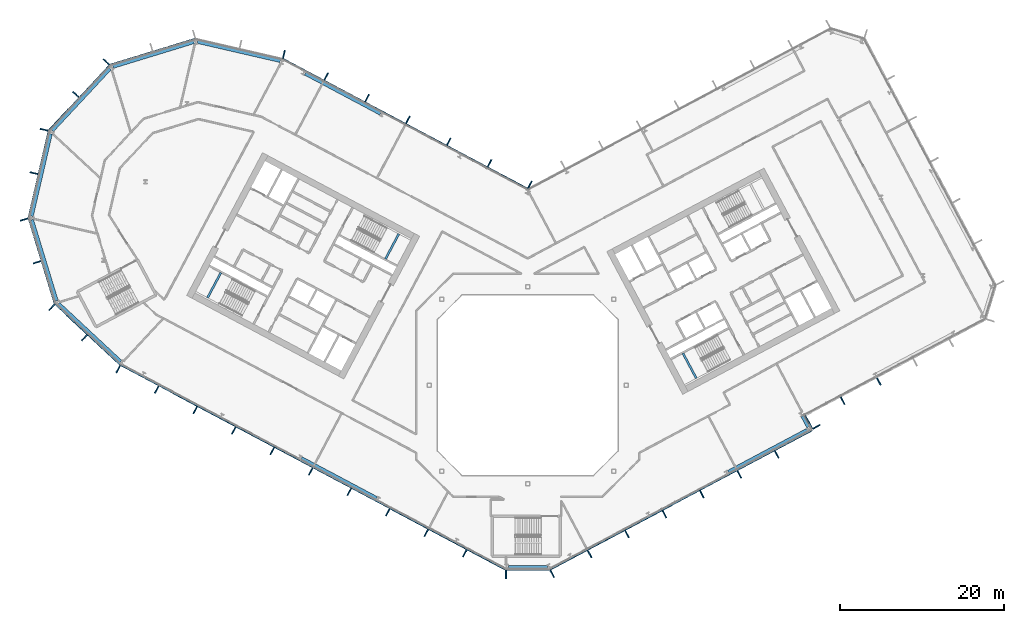
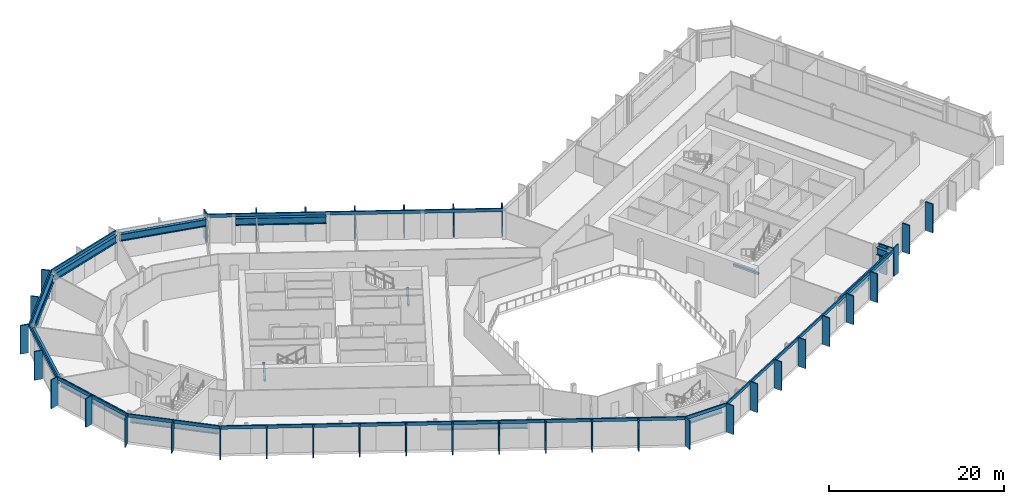
# One storey, part 9 of 28: 47 members, 14 beams, 12 elements without a shape of their own.
"""IFC4 building model written with IfcOpenShell, lengths in metres."""

from ifc_helpers import new_model, si_unit, direction, frame, origin, origin_2d, place, context, subcontext, project, spatial, rectangle, i_section, extrude, material, layer, layer_set, material_profile, profile_set, type_object, element, aggregate, save


model = new_model("IFC4")

# Units and contexts
model_context = context("Model", 3, precision=1e-05, world=origin(), true_north=direction((0.0, 1.0)))
body_context = subcontext(model_context, "Body", "Model", "MODEL_VIEW")
ifc_project = project(units=[si_unit("LENGTHUNIT", "METRE"), si_unit("AREAUNIT", "SQUARE_METRE"), si_unit("VOLUMEUNIT", "CUBIC_METRE"), si_unit("PLANEANGLEUNIT", "RADIAN"), si_unit("MASSUNIT", "GRAM", prefix="KILO")], contexts=[model_context])

# Site, building, storey
site_placement = place(None, origin())
site = spatial("IfcSite", under=ifc_project, at=site_placement, CompositionType="ELEMENT")
building_placement = place(site_placement, origin())
building = spatial("IfcBuilding", under=site, at=building_placement, Name="Cormorant Relay Tower", CompositionType="ELEMENT")
storey_placement = place(building_placement, frame((0.0, 0.0, 170.199951171875)))
storey = spatial("IfcBuildingStorey", under=building, at=storey_placement, Name="L36", CompositionType="ELEMENT", Elevation=170.199951171875)

# Curtain wall, member
ifc_material_1 = material(Name="Aluminium 6063-T6 anodised bronze", Category="aluminium")
ifc_layer = layer(ifc_material_1, 0.199951171875)
ifc_layer_set = layer_set([ifc_layer], Name="CW1 unitised bronze curtain wall with vertical fins")
curtain_wall_type = type_object("IfcCurtainWallType", Name="CW1 unitised bronze curtain wall with vertical fins", PredefinedType="NOTDEFINED", material=ifc_layer_set)
curtain_wall_1_placement = place(storey_placement, origin())
curtain_wall_1 = element("IfcCurtainWall", 1, at=curtain_wall_1_placement, inside=storey, type_object=curtain_wall_type, Name="CW1 curtain wall 1", PredefinedType="NOTDEFINED")
ifc_material_2 = material(Name="Aluminium 6063-T6 anodised bronze", Category="aluminium")
ifc_material_profile_1 = material_profile(ifc_material_2, rectangle(XDim=0.14990234375, YDim=1.0, at=origin_2d()), Name="AL 150x1000")
ifc_profile_set_1 = profile_set([ifc_material_profile_1], Name="Aluminium 6063-T6 anodised bronze")
member_type_1 = type_object("IfcMemberType", Name="CW1 bronze fin mullion 150 x 1000", PredefinedType="MULLION", material=ifc_profile_set_1)
member_1_placement = place(storey_placement, frame((-2.648681640625, -23.07568359375, 0.0), z_axis=(0.0, 0.0, 1.0), x_axis=(1.0, 0.0, 0.0)))
member_1 = element("IfcMember", 2, at=member_1_placement, type_object=member_type_1, Name="CW1 fin 1.1", PredefinedType="MULLION", context=body_context, shape_type="SweptSolid", body=[
    extrude(rectangle(XDim=0.14990234375, YDim=1.0, at=origin_2d()), origin(), (0.0, 0.0, 1.0), 4.0),
])

# Curtain wall, members
curtain_wall_2_placement = place(storey_placement, origin())
curtain_wall_2 = element("IfcCurtainWall", 3, at=curtain_wall_2_placement, inside=storey, type_object=curtain_wall_type, Name="CW1 curtain wall 2", PredefinedType="NOTDEFINED")
member_2_placement = place(storey_placement, frame((2.9775390625, -22.99365234375, 0.0), z_axis=(0.0, 0.0, 1.0), x_axis=(0.882947592859, 0.469471562786, 0.0)))
member_2 = element("IfcMember", 4, at=member_2_placement, type_object=member_type_1, Name="CW1 fin 2.1", PredefinedType="MULLION", context=body_context, shape_type="SweptSolid", body=[
    extrude(rectangle(XDim=0.14990234375, YDim=1.0, at=origin_2d()), origin(), (0.0, 0.0, 1.0), 4.0),
])
member_3_placement = place(storey_placement, frame((7.539306640625, -20.568115234375, 0.0), z_axis=(0.0, 0.0, 1.0), x_axis=(0.882947592859, 0.469471562786, 0.0)))
member_3 = element("IfcMember", 5, at=member_3_placement, type_object=member_type_1, Name="CW1 fin 2.2", PredefinedType="MULLION", context=body_context, shape_type="SweptSolid", body=[
    extrude(rectangle(XDim=0.14990234375, YDim=1.0, at=origin_2d()), origin(), (0.0, 0.0, 1.0), 4.0),
])
member_4_placement = place(storey_placement, frame((12.10107421875, -18.142578125, 0.0), z_axis=(0.0, 0.0, 1.0), x_axis=(0.882947592859, 0.469471562786, 0.0)))
member_4 = element("IfcMember", 6, at=member_4_placement, type_object=member_type_1, Name="CW1 fin 2.3", PredefinedType="MULLION", context=body_context, shape_type="SweptSolid", body=[
    extrude(rectangle(XDim=0.14990234375, YDim=1.0, at=origin_2d()), origin(), (0.0, 0.0, 1.0), 4.0),
])
member_5_placement = place(storey_placement, frame((16.662841796875, -15.717041015625, 0.0), z_axis=(0.0, 0.0, 1.0), x_axis=(0.882947592859, 0.469471562786, 0.0)))
member_5 = element("IfcMember", 7, at=member_5_placement, type_object=member_type_1, Name="CW1 fin 2.4", PredefinedType="MULLION", context=body_context, shape_type="SweptSolid", body=[
    extrude(rectangle(XDim=0.14990234375, YDim=1.0, at=origin_2d()), origin(), (0.0, 0.0, 1.0), 4.0),
])
member_6_placement = place(storey_placement, frame((21.224609375, -13.29150390625, 0.0), z_axis=(0.0, 0.0, 1.0), x_axis=(0.882947592859, 0.469471562786, 0.0)))
member_6 = element("IfcMember", 8, at=member_6_placement, type_object=member_type_1, Name="CW1 fin 2.5", PredefinedType="MULLION", context=body_context, shape_type="SweptSolid", body=[
    extrude(rectangle(XDim=0.14990234375, YDim=1.0, at=origin_2d()), origin(), (0.0, 0.0, 1.0), 4.0),
])
member_7_placement = place(storey_placement, frame((25.78662109375, -10.865966796875, 0.0), z_axis=(0.0, 0.0, 1.0), x_axis=(0.882947592859, 0.469471562786, 0.0)))
member_7 = element("IfcMember", 9, at=member_7_placement, type_object=member_type_1, Name="CW1 fin 2.6", PredefinedType="MULLION", context=body_context, shape_type="SweptSolid", body=[
    extrude(rectangle(XDim=0.14990234375, YDim=1.0, at=origin_2d()), origin(), (0.0, 0.0, 1.0), 4.0),
])
member_8_placement = place(storey_placement, frame((30.348388671875, -8.440185546875, 0.0), z_axis=(0.0, 0.0, 1.0), x_axis=(0.882947592859, 0.469471562786, 0.0)))
member_8 = element("IfcMember", 10, at=member_8_placement, type_object=member_type_1, Name="CW1 fin 2.7", PredefinedType="MULLION", context=body_context, shape_type="SweptSolid", body=[
    extrude(rectangle(XDim=0.14990234375, YDim=1.0, at=origin_2d()), origin(), (0.0, 0.0, 1.0), 4.0),
])

# Curtain wall, member
curtain_wall_3_placement = place(storey_placement, origin())
curtain_wall_3 = element("IfcCurtainWall", 11, at=curtain_wall_3_placement, inside=storey, type_object=curtain_wall_type, Name="CW1 curtain wall 3", PredefinedType="NOTDEFINED")
member_9_placement = place(storey_placement, frame((35.199462890625, -5.068115234375, 0.0), z_axis=(0.0, 0.0, 1.0), x_axis=(-0.469471562786, 0.882947592859, 0.0)))
member_9 = element("IfcMember", 12, at=member_9_placement, type_object=member_type_1, Name="CW1 fin 3.1", PredefinedType="MULLION", context=body_context, shape_type="SweptSolid", body=[
    extrude(rectangle(XDim=0.14990234375, YDim=1.0, at=origin_2d()), origin(), (0.0, 0.0, 1.0), 4.0),
])

# Curtain wall, members
curtain_wall_4_placement = place(storey_placement, origin())
curtain_wall_4 = element("IfcCurtainWall", 13, at=curtain_wall_4_placement, inside=storey, type_object=curtain_wall_type, Name="CW1 curtain wall 4", PredefinedType="NOTDEFINED")
member_10_placement = place(storey_placement, frame((34.037353515625, -4.213623046875, 0.0), z_axis=(0.0, 0.0, 1.0), x_axis=(0.882947592859, 0.469471562786, 0.0)))
member_10 = element("IfcMember", 14, at=member_10_placement, type_object=member_type_1, Name="CW1 fin 4.1", PredefinedType="MULLION", context=body_context, shape_type="SweptSolid", body=[
    extrude(rectangle(XDim=0.14990234375, YDim=1.0, at=origin_2d()), origin(), (0.0, 0.0, 1.0), 4.0),
])
member_11_placement = place(storey_placement, frame((38.385986328125, -1.901611328125, 0.0), z_axis=(0.0, 0.0, 1.0), x_axis=(0.882947592859, 0.469471562786, 0.0)))
member_11 = element("IfcMember", 15, at=member_11_placement, type_object=member_type_1, Name="CW1 fin 4.2", PredefinedType="MULLION", context=body_context, shape_type="SweptSolid", body=[
    extrude(rectangle(XDim=0.14990234375, YDim=1.0, at=origin_2d()), origin(), (0.0, 0.0, 1.0), 4.0),
])
member_12_placement = place(storey_placement, frame((42.800537109375, 0.44580078125, 0.0), z_axis=(0.0, 0.0, 1.0), x_axis=(0.882947592859, 0.469471562786, 0.0)))
member_12 = element("IfcMember", 16, at=member_12_placement, type_object=member_type_1, Name="CW1 fin 4.3", PredefinedType="MULLION", context=body_context, shape_type="SweptSolid", body=[
    extrude(rectangle(XDim=0.14990234375, YDim=1.0, at=origin_2d()), origin(), (0.0, 0.0, 1.0), 4.0),
])
aggregate(curtain_wall_4, [member_10, member_11, member_12])

curtain_wall_5_placement = place(storey_placement, origin())
curtain_wall_5 = element("IfcCurtainWall", 17, at=curtain_wall_5_placement, inside=storey, type_object=curtain_wall_type, Name="CW1 curtain wall 9", PredefinedType="NOTDEFINED")
member_13_placement = place(storey_placement, frame((0.262451171875, 24.437255859375, 0.0), z_axis=(0.0, 0.0, 1.0), x_axis=(-0.882947592859, 0.469471562786, 0.0)))
member_13 = element("IfcMember", 18, at=member_13_placement, type_object=member_type_1, Name="CW1 fin 9.1", PredefinedType="MULLION", context=body_context, shape_type="SweptSolid", body=[
    extrude(rectangle(XDim=0.14990234375, YDim=1.0, at=origin_2d()), origin(), (0.0, 0.0, 1.0), 4.0),
])
member_14_placement = place(storey_placement, frame((-4.650390625, 27.04931640625, 0.0), z_axis=(0.0, 0.0, 1.0), x_axis=(-0.882947592859, 0.469471562786, 0.0)))
member_14 = element("IfcMember", 19, at=member_14_placement, type_object=member_type_1, Name="CW1 fin 9.2", PredefinedType="MULLION", context=body_context, shape_type="SweptSolid", body=[
    extrude(rectangle(XDim=0.14990234375, YDim=1.0, at=origin_2d()), origin(), (0.0, 0.0, 1.0), 4.0),
])
member_15_placement = place(storey_placement, frame((-9.62939453125, 29.69677734375, 0.0), z_axis=(0.0, 0.0, 1.0), x_axis=(-0.882947592859, 0.469471562786, 0.0)))
member_15 = element("IfcMember", 20, at=member_15_placement, type_object=member_type_1, Name="CW1 fin 9.3", PredefinedType="MULLION", context=body_context, shape_type="SweptSolid", body=[
    extrude(rectangle(XDim=0.14990234375, YDim=1.0, at=origin_2d()), origin(), (0.0, 0.0, 1.0), 4.0),
])
member_16_placement = place(storey_placement, frame((-14.608154296875, 32.343994140625, 0.0), z_axis=(0.0, 0.0, 1.0), x_axis=(-0.882947592859, 0.469471562786, 0.0)))
member_16 = element("IfcMember", 21, at=member_16_placement, type_object=member_type_1, Name="CW1 fin 9.4", PredefinedType="MULLION", context=body_context, shape_type="SweptSolid", body=[
    extrude(rectangle(XDim=0.14990234375, YDim=1.0, at=origin_2d()), origin(), (0.0, 0.0, 1.0), 4.0),
])
member_17_placement = place(storey_placement, frame((-19.587158203125, 34.991455078125, 0.0), z_axis=(0.0, 0.0, 1.0), x_axis=(-0.882947592859, 0.469471562786, 0.0)))
member_17 = element("IfcMember", 22, at=member_17_placement, type_object=member_type_1, Name="CW1 fin 9.5", PredefinedType="MULLION", context=body_context, shape_type="SweptSolid", body=[
    extrude(rectangle(XDim=0.14990234375, YDim=1.0, at=origin_2d()), origin(), (0.0, 0.0, 1.0), 4.0),
])
member_18_placement = place(storey_placement, frame((-24.566162109375, 37.638916015625, 0.0), z_axis=(0.0, 0.0, 1.0), x_axis=(-0.882947592859, 0.469471562786, 0.0)))
member_18 = element("IfcMember", 23, at=member_18_placement, type_object=member_type_1, Name="CW1 fin 9.6", PredefinedType="MULLION", context=body_context, shape_type="SweptSolid", body=[
    extrude(rectangle(XDim=0.14990234375, YDim=1.0, at=origin_2d()), origin(), (0.0, 0.0, 1.0), 4.0),
])

# Curtain wall, member
curtain_wall_6_placement = place(storey_placement, origin())
curtain_wall_6 = element("IfcCurtainWall", 24, at=curtain_wall_6_placement, inside=storey, type_object=curtain_wall_type, Name="CW1 curtain wall 10", PredefinedType="NOTDEFINED")
member_19_placement = place(storey_placement, frame((-29.71630859375, 40.35009765625, 0.0), z_axis=(0.0, 0.0, 1.0), x_axis=(-0.974370064785, 0.224951054344, 0.0)))
member_19 = element("IfcMember", 25, at=member_19_placement, type_object=member_type_1, Name="CW1 fin 10.1", PredefinedType="MULLION", context=body_context, shape_type="SweptSolid", body=[
    extrude(rectangle(XDim=0.14990234375, YDim=1.0, at=origin_2d()), origin(), (0.0, 0.0, 1.0), 4.0),
])
aggregate(curtain_wall_6, [member_19])

# Curtain wall, members
curtain_wall_7_placement = place(storey_placement, origin())
curtain_wall_7 = element("IfcCurtainWall", 26, at=curtain_wall_7_placement, inside=storey, type_object=curtain_wall_type, Name="CW1 curtain wall 12", PredefinedType="NOTDEFINED")
member_20_placement = place(storey_placement, frame((-51.372802734375, 39.41259765625, 0.0), z_axis=(0.0, 0.0, 1.0), x_axis=(-0.681998360062, -0.731353701619, 0.0)))
member_20 = element("IfcMember", 27, at=member_20_placement, type_object=member_type_1, Name="CW1 fin 12.1", PredefinedType="MULLION", context=body_context, shape_type="SweptSolid", body=[
    extrude(rectangle(XDim=0.14990234375, YDim=1.0, at=origin_2d()), origin(), (0.0, 0.0, 1.0), 4.0),
])
member_21_placement = place(storey_placement, frame((-55.07958984375, 35.4375, 0.0), z_axis=(0.0, 0.0, 1.0), x_axis=(-0.681998360062, -0.731353701619, 0.0)))
member_21 = element("IfcMember", 28, at=member_21_placement, type_object=member_type_1, Name="CW1 fin 12.2", PredefinedType="MULLION", context=body_context, shape_type="SweptSolid", body=[
    extrude(rectangle(XDim=0.14990234375, YDim=1.0, at=origin_2d()), origin(), (0.0, 0.0, 1.0), 4.0),
])

curtain_wall_8_placement = place(storey_placement, origin())
curtain_wall_8 = element("IfcCurtainWall", 29, at=curtain_wall_8_placement, inside=storey, type_object=curtain_wall_type, Name="CW1 curtain wall 13", PredefinedType="NOTDEFINED")
member_22_placement = place(storey_placement, frame((-58.95654296875, 31.142578125, 0.0), z_axis=(0.0, 0.0, 1.0), x_axis=(-0.224951054344, -0.974370064785, 0.0)))
member_22 = element("IfcMember", 30, at=member_22_placement, type_object=member_type_1, Name="CW1 fin 13.1", PredefinedType="MULLION", context=body_context, shape_type="SweptSolid", body=[
    extrude(rectangle(XDim=0.14990234375, YDim=1.0, at=origin_2d()), origin(), (0.0, 0.0, 1.0), 4.0),
])
member_23_placement = place(storey_placement, frame((-60.17919921875, 25.8466796875, 0.0), z_axis=(0.0, 0.0, 1.0), x_axis=(-0.224951054344, -0.974370064785, 0.0)))
member_23 = element("IfcMember", 31, at=member_23_placement, type_object=member_type_1, Name="CW1 fin 13.2", PredefinedType="MULLION", context=body_context, shape_type="SweptSolid", body=[
    extrude(rectangle(XDim=0.14990234375, YDim=1.0, at=origin_2d()), origin(), (0.0, 0.0, 1.0), 4.0),
])

curtain_wall_9_placement = place(storey_placement, origin())
curtain_wall_9 = element("IfcCurtainWall", 32, at=curtain_wall_9_placement, inside=storey, type_object=curtain_wall_type, Name="CW1 curtain wall 14", PredefinedType="NOTDEFINED")
member_24_placement = place(storey_placement, frame((-61.389404296875, 20.188720703125, 0.0), z_axis=(0.0, 0.0, 1.0), x_axis=(0.292371704723, -0.956304755963, 0.0)))
member_24 = element("IfcMember", 33, at=member_24_placement, type_object=member_type_1, Name="CW1 fin 14.1", PredefinedType="MULLION", context=body_context, shape_type="SweptSolid", body=[
    extrude(rectangle(XDim=0.14990234375, YDim=1.0, at=origin_2d()), origin(), (0.0, 0.0, 1.0), 4.0),
])
member_25_placement = place(storey_placement, frame((-59.80029296875, 14.990966796875, 0.0), z_axis=(0.0, 0.0, 1.0), x_axis=(0.292371704723, -0.956304755963, 0.0)))
member_25 = element("IfcMember", 34, at=member_25_placement, type_object=member_type_1, Name="CW1 fin 14.2", PredefinedType="MULLION", context=body_context, shape_type="SweptSolid", body=[
    extrude(rectangle(XDim=0.14990234375, YDim=1.0, at=origin_2d()), origin(), (0.0, 0.0, 1.0), 4.0),
])

curtain_wall_10_placement = place(storey_placement, origin())
curtain_wall_10 = element("IfcCurtainWall", 35, at=curtain_wall_10_placement, inside=storey, type_object=curtain_wall_type, Name="CW1 curtain wall 15", PredefinedType="NOTDEFINED")
member_26_placement = place(storey_placement, frame((-58.01904296875, 9.486083984375, 0.0), z_axis=(0.0, 0.0, 1.0), x_axis=(0.731353701619, -0.681998360062, 0.0)))
member_26 = element("IfcMember", 36, at=member_26_placement, type_object=member_type_1, Name="CW1 fin 15.1", PredefinedType="MULLION", context=body_context, shape_type="SweptSolid", body=[
    extrude(rectangle(XDim=0.14990234375, YDim=1.0, at=origin_2d()), origin(), (0.0, 0.0, 1.0), 4.0),
])
member_27_placement = place(storey_placement, frame((-54.0439453125, 5.779296875, 0.0), z_axis=(0.0, 0.0, 1.0), x_axis=(0.731353701619, -0.681998360062, 0.0)))
member_27 = element("IfcMember", 37, at=member_27_placement, type_object=member_type_1, Name="CW1 fin 15.2", PredefinedType="MULLION", context=body_context, shape_type="SweptSolid", body=[
    extrude(rectangle(XDim=0.14990234375, YDim=1.0, at=origin_2d()), origin(), (0.0, 0.0, 1.0), 4.0),
])

curtain_wall_11_placement = place(storey_placement, origin())
curtain_wall_11 = element("IfcCurtainWall", 38, at=curtain_wall_11_placement, inside=storey, type_object=curtain_wall_type, Name="CW1 curtain wall 16", PredefinedType="NOTDEFINED")
member_28_placement = place(storey_placement, frame((-49.920166015625, 1.96630859375, 0.0), z_axis=(0.0, 0.0, 1.0), x_axis=(0.882947592859, -0.469471562786, 0.0)))
member_28 = element("IfcMember", 39, at=member_28_placement, type_object=member_type_1, Name="CW1 fin 16.1", PredefinedType="MULLION", context=body_context, shape_type="SweptSolid", body=[
    extrude(rectangle(XDim=0.14990234375, YDim=1.0, at=origin_2d()), origin(), (0.0, 0.0, 1.0), 4.0),
])
member_29_placement = place(storey_placement, frame((-45.225830078125, -0.52978515625, 0.0), z_axis=(0.0, 0.0, 1.0), x_axis=(0.882947592859, -0.469471562786, 0.0)))
member_29 = element("IfcMember", 40, at=member_29_placement, type_object=member_type_1, Name="CW1 fin 16.2", PredefinedType="MULLION", context=body_context, shape_type="SweptSolid", body=[
    extrude(rectangle(XDim=0.14990234375, YDim=1.0, at=origin_2d()), origin(), (0.0, 0.0, 1.0), 4.0),
])
member_30_placement = place(storey_placement, frame((-40.531494140625, -3.025634765625, 0.0), z_axis=(0.0, 0.0, 1.0), x_axis=(0.882947592859, -0.469471562786, 0.0)))
member_30 = element("IfcMember", 41, at=member_30_placement, type_object=member_type_1, Name="CW1 fin 16.3", PredefinedType="MULLION", context=body_context, shape_type="SweptSolid", body=[
    extrude(rectangle(XDim=0.14990234375, YDim=1.0, at=origin_2d()), origin(), (0.0, 0.0, 1.0), 4.0),
])
member_31_placement = place(storey_placement, frame((-35.83740234375, -5.521728515625, 0.0), z_axis=(0.0, 0.0, 1.0), x_axis=(0.882947592859, -0.469471562786, 0.0)))
member_31 = element("IfcMember", 42, at=member_31_placement, type_object=member_type_1, Name="CW1 fin 16.4", PredefinedType="MULLION", context=body_context, shape_type="SweptSolid", body=[
    extrude(rectangle(XDim=0.14990234375, YDim=1.0, at=origin_2d()), origin(), (0.0, 0.0, 1.0), 4.0),
])
member_32_placement = place(storey_placement, frame((-31.14306640625, -8.017578125, 0.0), z_axis=(0.0, 0.0, 1.0), x_axis=(0.882947592859, -0.469471562786, 0.0)))
member_32 = element("IfcMember", 43, at=member_32_placement, type_object=member_type_1, Name="CW1 fin 16.5", PredefinedType="MULLION", context=body_context, shape_type="SweptSolid", body=[
    extrude(rectangle(XDim=0.14990234375, YDim=1.0, at=origin_2d()), origin(), (0.0, 0.0, 1.0), 4.0),
])
member_33_placement = place(storey_placement, frame((-26.44873046875, -10.513671875, 0.0), z_axis=(0.0, 0.0, 1.0), x_axis=(0.882947592859, -0.469471562786, 0.0)))
member_33 = element("IfcMember", 44, at=member_33_placement, type_object=member_type_1, Name="CW1 fin 16.6", PredefinedType="MULLION", context=body_context, shape_type="SweptSolid", body=[
    extrude(rectangle(XDim=0.14990234375, YDim=1.0, at=origin_2d()), origin(), (0.0, 0.0, 1.0), 4.0),
])
member_34_placement = place(storey_placement, frame((-21.754638671875, -13.009765625, 0.0), z_axis=(0.0, 0.0, 1.0), x_axis=(0.882947592859, -0.469471562786, 0.0)))
member_34 = element("IfcMember", 45, at=member_34_placement, type_object=member_type_1, Name="CW1 fin 16.7", PredefinedType="MULLION", context=body_context, shape_type="SweptSolid", body=[
    extrude(rectangle(XDim=0.14990234375, YDim=1.0, at=origin_2d()), origin(), (0.0, 0.0, 1.0), 4.0),
])
member_35_placement = place(storey_placement, frame((-17.060302734375, -15.505615234375, 0.0), z_axis=(0.0, 0.0, 1.0), x_axis=(0.882947592859, -0.469471562786, 0.0)))
member_35 = element("IfcMember", 46, at=member_35_placement, type_object=member_type_1, Name="CW1 fin 16.8", PredefinedType="MULLION", context=body_context, shape_type="SweptSolid", body=[
    extrude(rectangle(XDim=0.14990234375, YDim=1.0, at=origin_2d()), origin(), (0.0, 0.0, 1.0), 4.0),
])
member_36_placement = place(storey_placement, frame((-12.365966796875, -18.001708984375, 0.0), z_axis=(0.0, 0.0, 1.0), x_axis=(0.882947592859, -0.469471562786, 0.0)))
member_36 = element("IfcMember", 47, at=member_36_placement, type_object=member_type_1, Name="CW1 fin 16.9", PredefinedType="MULLION", context=body_context, shape_type="SweptSolid", body=[
    extrude(rectangle(XDim=0.14990234375, YDim=1.0, at=origin_2d()), origin(), (0.0, 0.0, 1.0), 4.0),
])
member_37_placement = place(storey_placement, frame((-7.671630859375, -20.49755859375, 0.0), z_axis=(0.0, 0.0, 1.0), x_axis=(0.882947592859, -0.469471562786, 0.0)))
member_37 = element("IfcMember", 48, at=member_37_placement, type_object=member_type_1, Name="CW1 fin 16.10", PredefinedType="MULLION", context=body_context, shape_type="SweptSolid", body=[
    extrude(rectangle(XDim=0.14990234375, YDim=1.0, at=origin_2d()), origin(), (0.0, 0.0, 1.0), 4.0),
])

# Member
ifc_material_3 = material(Name="Aluminium 6063-T6 anodised bronze", Category="aluminium")
ifc_material_profile_2 = material_profile(ifc_material_3, rectangle(XDim=0.159912109375, YDim=0.449951171875, at=origin_2d()), Name="AL 160x450")
ifc_profile_set_2 = profile_set([ifc_material_profile_2], Name="Aluminium 6063-T6 anodised bronze")
member_type_2 = type_object("IfcMemberType", Name="CW1 bronze transom 160 x 450", PredefinedType="USERDEFINED", material=ifc_profile_set_2)
member_38_placement = place(storey_placement, frame((-2.648681640625, -22.49560546875, 3.775146484375), z_axis=(1.0, 0.0, 0.0), x_axis=(0.0, 1.0, 0.0)))
member_38 = element("IfcMember", 49, at=member_38_placement, type_object=member_type_2, Name="CW1 transom 1", ObjectType="TRANSOM", PredefinedType="USERDEFINED", context=body_context, shape_type="SweptSolid", body=[
    extrude(rectangle(XDim=0.159912109375, YDim=0.449951171875, at=origin_2d()), origin(), (0.0, 0.0, 1.0), 5.29736328125),
])

aggregate(curtain_wall_1, [member_1, member_38])

member_39_placement = place(storey_placement, frame((2.705078125, -22.4814453125, 3.775146484375), z_axis=(0.882948899141, 0.469469106018, 0.0), x_axis=(-0.469469106018, 0.882948899141, 0.0)))
member_39 = element("IfcMember", 50, at=member_39_placement, type_object=member_type_2, Name="CW1 transom 2", ObjectType="TRANSOM", PredefinedType="USERDEFINED", context=body_context, shape_type="SweptSolid", body=[
    extrude(rectangle(XDim=0.159912109375, YDim=0.449951171875, at=origin_2d()), origin(), (0.0, 0.0, 1.0), 36.165771484375),
])

aggregate(curtain_wall_2, [member_2, member_3, member_4, member_5, member_6, member_7, member_8, member_39])

member_40_placement = place(storey_placement, frame((34.6875, -5.34033203125, 3.775146484375), z_axis=(-0.469580583036, 0.88288961713, 0.0), x_axis=(-0.88288961713, -0.469580583036, 0.0)))
member_40 = element("IfcMember", 51, at=member_40_placement, type_object=member_type_2, Name="CW1 transom 3", ObjectType="TRANSOM", PredefinedType="USERDEFINED", context=body_context, shape_type="SweptSolid", body=[
    extrude(rectangle(XDim=0.159912109375, YDim=0.449951171875, at=origin_2d()), origin(), (0.0, 0.0, 1.0), 2.0),
])

aggregate(curtain_wall_3, [member_9, member_40])

member_41_placement = place(storey_placement, frame((0.056396484375, 23.889892578125, 3.775146484375), z_axis=(-0.882946280328, 0.46947403129, 0.0), x_axis=(-0.46947403129, -0.882946280328, 0.0)))
member_41 = element("IfcMember", 52, at=member_41_placement, type_object=member_type_2, Name="CW1 transom 9", ObjectType="TRANSOM", PredefinedType="USERDEFINED", context=body_context, shape_type="SweptSolid", body=[
    extrude(rectangle(XDim=0.159912109375, YDim=0.449951171875, at=origin_2d()), origin(), (0.0, 0.0, 1.0), 33.834228515625),
])

aggregate(curtain_wall_5, [member_13, member_14, member_15, member_16, member_17, member_18, member_41])

# Curtain wall, member
curtain_wall_12_placement = place(storey_placement, origin())
curtain_wall_12 = element("IfcCurtainWall", 53, at=curtain_wall_12_placement, inside=storey, type_object=curtain_wall_type, Name="CW1 curtain wall 11", PredefinedType="NOTDEFINED")
member_42_placement = place(storey_placement, frame((-40.50048828125, 42.228271484375, 3.775146484375), z_axis=(-0.956304833932, -0.292371449698, 0.0), x_axis=(0.292371449698, -0.956304833932, 0.0)))
member_42 = element("IfcMember", 54, at=member_42_placement, type_object=member_type_2, Name="CW1 transom 11", ObjectType="TRANSOM", PredefinedType="USERDEFINED", context=body_context, shape_type="SweptSolid", body=[
    extrude(rectangle(XDim=0.159912109375, YDim=0.449951171875, at=origin_2d()), origin(), (0.0, 0.0, 1.0), 10.87060546875),
])
aggregate(curtain_wall_12, [member_42])

# Member
member_43_placement = place(storey_placement, frame((-50.94873046875, 39.01708984375, 3.775146484375), z_axis=(-0.681993299437, -0.731358420696, 0.0), x_axis=(0.731358420696, -0.681993299437, 0.0)))
member_43 = element("IfcMember", 55, at=member_43_placement, type_object=member_type_2, Name="CW1 transom 12", ObjectType="TRANSOM", PredefinedType="USERDEFINED", context=body_context, shape_type="SweptSolid", body=[
    extrude(rectangle(XDim=0.159912109375, YDim=0.449951171875, at=origin_2d()), origin(), (0.0, 0.0, 1.0), 10.870361328125),
])

aggregate(curtain_wall_7, [member_20, member_21, member_43])

member_44_placement = place(storey_placement, frame((-58.3916015625, 31.01220703125, 3.775146484375), z_axis=(-0.22495136131, -0.974369993916, 0.0), x_axis=(0.974369993916, -0.22495136131, 0.0)))
member_44 = element("IfcMember", 56, at=member_44_placement, type_object=member_type_2, Name="CW1 transom 13", ObjectType="TRANSOM", PredefinedType="USERDEFINED", context=body_context, shape_type="SweptSolid", body=[
    extrude(rectangle(XDim=0.159912109375, YDim=0.449951171875, at=origin_2d()), origin(), (0.0, 0.0, 1.0), 10.870361328125),
])

aggregate(curtain_wall_8, [member_22, member_23, member_44])

member_45_placement = place(storey_placement, frame((-60.834716796875, 20.358154296875, 3.775146484375), z_axis=(0.292377729282, -0.95630291405, 0.0), x_axis=(0.95630291405, 0.292377729282, 0.0)))
member_45 = element("IfcMember", 57, at=member_45_placement, type_object=member_type_2, Name="CW1 transom 14", ObjectType="TRANSOM", PredefinedType="USERDEFINED", context=body_context, shape_type="SweptSolid", body=[
    extrude(rectangle(XDim=0.159912109375, YDim=0.449951171875, at=origin_2d()), origin(), (0.0, 0.0, 1.0), 10.870361328125),
])

aggregate(curtain_wall_9, [member_24, member_25, member_45])

member_46_placement = place(storey_placement, frame((-57.62353515625, 9.91015625, 3.775146484375), z_axis=(0.731358420696, -0.681993299437, 0.0), x_axis=(0.681993299437, 0.731358420696, 0.0)))
member_46 = element("IfcMember", 58, at=member_46_placement, type_object=member_type_2, Name="CW1 transom 15", ObjectType="TRANSOM", PredefinedType="USERDEFINED", context=body_context, shape_type="SweptSolid", body=[
    extrude(rectangle(XDim=0.159912109375, YDim=0.449951171875, at=origin_2d()), origin(), (0.0, 0.0, 1.0), 10.870361328125),
])

aggregate(curtain_wall_10, [member_26, member_27, member_46])

member_47_placement = place(storey_placement, frame((-49.64794921875, 2.478515625, 3.775146484375), z_axis=(0.882947642542, -0.469471469346, 0.0), x_axis=(0.469471469346, 0.882947642542, 0.0)))
member_47 = element("IfcMember", 59, at=member_47_placement, type_object=member_type_2, Name="CW1 transom 16", ObjectType="TRANSOM", PredefinedType="USERDEFINED", context=body_context, shape_type="SweptSolid", body=[
    extrude(rectangle(XDim=0.159912109375, YDim=0.449951171875, at=origin_2d()), origin(), (0.0, 0.0, 1.0), 53.166015625),
])

aggregate(curtain_wall_11, [member_28, member_29, member_30, member_31, member_32, member_33, member_34, member_35, member_36, member_37, member_47])

# Beams
ifc_material_4 = material(Name="Steel ASTM A992 (Fy 345 MPa)", Category="steel")
ifc_material_profile_3 = material_profile(ifc_material_4, i_section(OverallWidth=0.4013671875, OverallDepth=1.000732421875, WebThickness=0.01904296875, FlangeThickness=0.0361328125, FilletRadius=0.02978515625, at=origin_2d()), Name="W1000x371")
ifc_profile_set_3 = profile_set([ifc_material_profile_3], Name="Steel ASTM A992 (Fy 345 MPa)")
beam_type_1 = type_object("IfcBeamType", Name="Spandrel W1000x371", PredefinedType="SPANDREL", material=ifc_profile_set_3)
beam_1_placement = place(storey_placement, frame((-2.35888671875, -22.1748046875, 3.1396484375), z_axis=(1.0, 0.0, 0.0), x_axis=(0.0, 1.0, 0.0)))
element("IfcBeam", 60, at=beam_1_placement, inside=storey, type_object=beam_type_1, Name="Spandrel beam L36-001", PredefinedType="SPANDREL", context=body_context, shape_type="SweptSolid", body=[
    extrude(i_section(OverallWidth=0.4013671875, OverallDepth=1.000732421875, WebThickness=0.01904296875, FlangeThickness=0.0361328125, FilletRadius=0.02978515625, at=origin_2d()), origin(), (0.0, 0.0, 1.0), 4.748046875),
])
beam_2_placement = place(storey_placement, frame((24.427001953125, -10.568603515625, 3.1396484375), z_axis=(0.88295524081, 0.469457178799, 0.0), x_axis=(-0.469457178799, 0.88295524081, 0.0)))
element("IfcBeam", 61, at=beam_2_placement, inside=storey, type_object=beam_type_1, Name="Spandrel beam L36-002", PredefinedType="SPANDREL", context=body_context, shape_type="SweptSolid", body=[
    extrude(i_section(OverallWidth=0.4013671875, OverallDepth=1.000732421875, WebThickness=0.01904296875, FlangeThickness=0.0361328125, FilletRadius=0.02978515625, at=origin_2d()), origin(), (0.0, 0.0, 1.0), 10.915771484375),
])
beam_3_placement = place(storey_placement, frame((34.191650390625, -5.091064453125, 3.1396484375), z_axis=(-0.469471937736, 0.882947393494, 0.0), x_axis=(-0.882947393494, -0.469471937736, 0.0)))
element("IfcBeam", 62, at=beam_3_placement, inside=storey, type_object=beam_type_1, Name="Spandrel beam L36-003", PredefinedType="SPANDREL", context=body_context, shape_type="SweptSolid", body=[
    extrude(i_section(OverallWidth=0.4013671875, OverallDepth=1.000732421875, WebThickness=0.01904296875, FlangeThickness=0.0361328125, FilletRadius=0.02978515625, at=origin_2d()), origin(), (0.0, 0.0, 1.0), 1.521728515625),
])
beam_4_placement = place(storey_placement, frame((-17.964599609375, 33.108642578125, 3.1396484375), z_axis=(-0.882946180893, 0.469474218299, 0.0), x_axis=(-0.469474218299, -0.882946180893, 0.0)))
element("IfcBeam", 63, at=beam_4_placement, inside=storey, type_object=beam_type_1, Name="Spandrel beam L36-009", PredefinedType="SPANDREL", context=body_context, shape_type="SweptSolid", body=[
    extrude(i_section(OverallWidth=0.4013671875, OverallDepth=1.000732421875, WebThickness=0.01904296875, FlangeThickness=0.0361328125, FilletRadius=0.02978515625, at=origin_2d()), origin(), (0.0, 0.0, 1.0), 10.388671875),
])
beam_5_placement = place(storey_placement, frame((-30.162109375, 39.52880859375, 3.1396484375), z_axis=(-0.974371727644, 0.224943851591, 0.0), x_axis=(-0.224943851591, -0.974371727644, 0.0)))
element("IfcBeam", 64, at=beam_5_placement, inside=storey, type_object=beam_type_1, Name="Spandrel beam L36-010", PredefinedType="SPANDREL", context=body_context, shape_type="SweptSolid", body=[
    extrude(i_section(OverallWidth=0.4013671875, OverallDepth=1.000732421875, WebThickness=0.01904296875, FlangeThickness=0.0361328125, FilletRadius=0.02978515625, at=origin_2d()), origin(), (0.0, 0.0, 1.0), 10.3583984375),
])
beam_6_placement = place(storey_placement, frame((-40.69140625, 41.834716796875, 3.1396484375), z_axis=(-0.95629714744, -0.292396589921, 0.0), x_axis=(0.292396589921, -0.95629714744, 0.0)))
element("IfcBeam", 65, at=beam_6_placement, inside=storey, type_object=beam_type_1, Name="Spandrel beam L36-011", PredefinedType="SPANDREL", context=body_context, shape_type="SweptSolid", body=[
    extrude(i_section(OverallWidth=0.4013671875, OverallDepth=1.000732421875, WebThickness=0.01904296875, FlangeThickness=0.0361328125, FilletRadius=0.02978515625, at=origin_2d()), origin(), (0.0, 0.0, 1.0), 10.31103515625),
])
beam_7_placement = place(storey_placement, frame((-50.917236328125, 38.58056640625, 3.1396484375), z_axis=(-0.682003508788, -0.731348900321, 0.0), x_axis=(0.731348900321, -0.682003508788, 0.0)))
element("IfcBeam", 66, at=beam_7_placement, inside=storey, type_object=beam_type_1, Name="Spandrel beam L36-012", PredefinedType="SPANDREL", context=body_context, shape_type="SweptSolid", body=[
    extrude(i_section(OverallWidth=0.4013671875, OverallDepth=1.000732421875, WebThickness=0.01904296875, FlangeThickness=0.0361328125, FilletRadius=0.02978515625, at=origin_2d()), origin(), (0.0, 0.0, 1.0), 10.310791015625),
])
for number, where, z_axis, x_axis, name in (
    (67, (-58.14599609375, 30.64990234375, 3.1396484375), (-0.224951162328, -0.974370039855, 0.0), (0.974370039855, -0.224951162328, 0.0), "Spandrel beam L36-013"),
    (68, (-60.44091796875, 20.16748046875, 3.1396484375), (0.292366522639, -0.95630634027, 0.0), (0.95630634027, 0.292366522639, 0.0), "Spandrel beam L36-014"),
):
    element("IfcBeam", number, at=place(storey_placement, frame(where, z_axis=z_axis, x_axis=x_axis)), inside=storey, type_object=beam_type_1, Name=name, PredefinedType="SPANDREL", context=body_context, shape_type="SweptSolid", body=[
        extrude(i_section(OverallWidth=0.4013671875, OverallDepth=1.000732421875, WebThickness=0.01904296875, FlangeThickness=0.0361328125, FilletRadius=0.02978515625, at=origin_2d()), origin(), (0.0, 0.0, 1.0), 10.310302734375),
    ])
beam_8_placement = place(storey_placement, frame((-57.1875, 9.94189453125, 3.1396484375), z_axis=(0.731351225545, -0.682001015317, 0.0), x_axis=(0.682001015317, 0.731351225545, 0.0)))
element("IfcBeam", 69, at=beam_8_placement, inside=storey, type_object=beam_type_1, Name="Spandrel beam L36-015", PredefinedType="SPANDREL", context=body_context, shape_type="SweptSolid", body=[
    extrude(i_section(OverallWidth=0.4013671875, OverallDepth=1.000732421875, WebThickness=0.01904296875, FlangeThickness=0.0361328125, FilletRadius=0.02978515625, at=origin_2d()), origin(), (0.0, 0.0, 1.0), 10.33935546875),
])
beam_9_placement = place(storey_placement, frame((-27.595458984375, -8.8837890625, 3.1396484375), z_axis=(0.882941619164, -0.4694827975, 0.0), x_axis=(0.4694827975, 0.882941619164, 0.0)))
element("IfcBeam", 70, at=beam_9_placement, inside=storey, type_object=beam_type_1, Name="Spandrel beam L36-016", PredefinedType="SPANDREL", context=body_context, shape_type="SweptSolid", body=[
    extrude(i_section(OverallWidth=0.4013671875, OverallDepth=1.000732421875, WebThickness=0.01904296875, FlangeThickness=0.0361328125, FilletRadius=0.02978515625, at=origin_2d()), origin(), (0.0, 0.0, 1.0), 10.388916015625),
])
ifc_material_5 = material(Name="Concrete 50 MPa", Category="concrete")
ifc_material_profile_4 = material_profile(ifc_material_5, rectangle(XDim=0.25, YDim=0.300048828125, at=origin_2d()), Name="RC 250x300")
ifc_profile_set_4 = profile_set([ifc_material_profile_4], Name="Concrete 50 MPa")
beam_type_2 = type_object("IfcBeamType", Name="Stair landing ledge beam 250x300", PredefinedType="BEAM", material=ifc_profile_set_4)
for number, where, z_axis, x_axis, name in (
    (71, (-17.338623046875, 15.3916015625, 1.650146484375), (0.469463917486, 0.882951657895, 0.0), (-0.882951657895, 0.469463917486, 0.0), "A1 landing ledge beam"),
    (72, (-37.404052734375, 13.715576171875, 1.650146484375), (-0.469463917486, -0.882951657895, 0.0), (0.882951657895, -0.469463917486, 0.0), "A2 landing ledge beam"),
    (73, (18.924072265625, 3.8896484375, 1.650146484375), (0.469463917486, -0.882951657895, 0.0), (0.882951657895, 0.469463917486, 0.0), "B1 landing ledge beam"),
):
    element("IfcBeam", number, at=place(storey_placement, frame(where, z_axis=z_axis, x_axis=x_axis)), inside=storey, type_object=beam_type_2, Name=name, PredefinedType="BEAM", context=body_context, shape_type="SweptSolid", body=[
        extrude(rectangle(XDim=0.25, YDim=0.300048828125, at=origin_2d()), origin(), (0.0, 0.0, 1.0), 3.449951171875),
    ])

save(model, "model.ifc")
